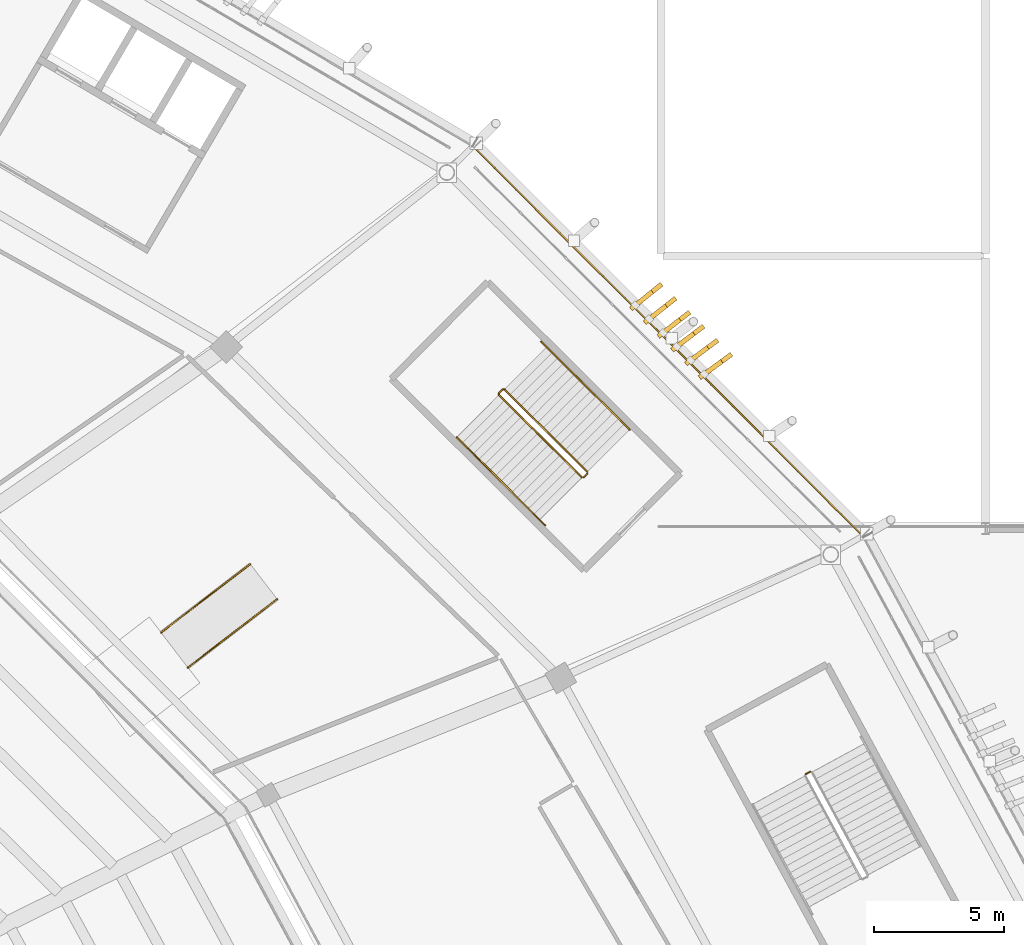
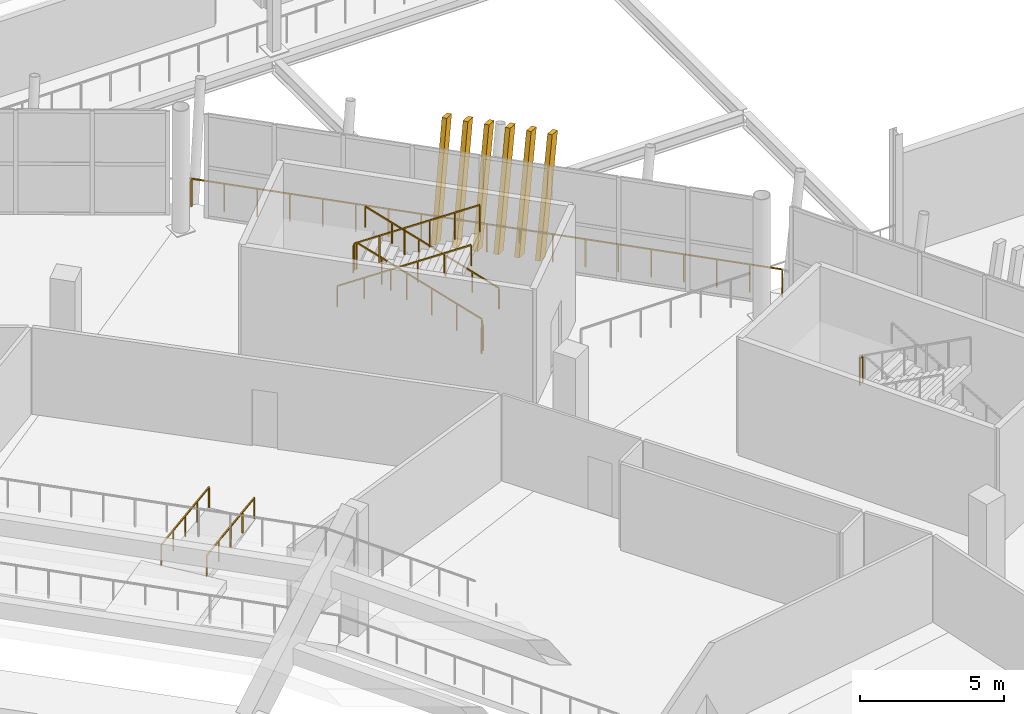
# One storey, part 167 of 178: 10 railings, 6 shading devices.
"""IFC4 building model written with IfcOpenShell, lengths in metres."""

import ifcopenshell
import ifcopenshell.guid

model = None  # the IFC model being written
_history = None  # IfcOwnerHistory: only IFC2X3 demands one
_inside = {}  # id of a spatial element -> (the spatial element, [elements in it])
_under = {}  # id of a project, library or spatial element -> (it, [spatial elements below it])
_declared = {}  # id of a project -> (the project, [libraries it declares])
_typed = {}  # id of a type object -> (the type object, [elements of that type])
_made_of = {}  # id of a material, layer set ... -> (it, [elements and type objects made of it])


def new_model(schema):
    """Start an empty IFC model of exactly this schema.

    Asked for "IFC4X3", IfcOpenShell would pick the latest addendum, in which some entities
    have other attributes; the version numbers below select the first issue.
    IFC2X3 requires an IfcOwnerHistory on every rooted entity: one is made here for all.
    """
    global model, _history
    if schema == "IFC4X3":
        model = ifcopenshell.file(schema_version=(4, 3, 0, 0))
    else:
        model = ifcopenshell.file(schema=schema)
    _inside.clear()
    _under.clear()
    _declared.clear()
    _typed.clear()
    _made_of.clear()
    _history = None
    if model.schema == "IFC2X3":
        org = make("IfcOrganization", Name="unknown")
        user = make(
            "IfcPersonAndOrganization",
            ThePerson=make("IfcPerson", FamilyName="unknown"),
            TheOrganization=org,
        )
        app = make(
            "IfcApplication",
            ApplicationDeveloper=org,
            Version="unknown",
            ApplicationFullName="unknown",
            ApplicationIdentifier="unknown",
        )
        _history = make(
            "IfcOwnerHistory",
            OwningUser=user,
            OwningApplication=app,
            ChangeAction="ADDED",
            CreationDate=0,
        )
    return model


def make(cls, **values):
    """One entity of the class cls with the attributes given. An attribute that is None is left unset."""
    return model.create_entity(
        cls, **{name: value for name, value in values.items() if value is not None}
    )


def rooted(cls, **values):
    """An entity with a GlobalId (a new one), such as an element, a storey or a relation."""
    return make(cls, GlobalId=ifcopenshell.guid.new(), OwnerHistory=_history, **values)


def si_unit(unit_type, name, prefix=None):
    """IfcSIUnit, for example si_unit("LENGTHUNIT", "METRE", prefix="MILLI")."""
    return make("IfcSIUnit", UnitType=unit_type, Prefix=prefix, Name=name)


def assignment(units):
    """IfcUnitAssignment: the units of a project."""
    return None if units is None else make("IfcUnitAssignment", Units=units)


def point(xyz):
    """IfcCartesianPoint."""
    return None if xyz is None else make("IfcCartesianPoint", Coordinates=xyz)


def direction(xyz):
    """IfcDirection."""
    return None if xyz is None else make("IfcDirection", DirectionRatios=xyz)


def frame(location, z_axis=None, x_axis=None):
    """IfcAxis2Placement3D, a coordinate frame: its origin and axes. An axis left out is left unset."""
    return make(
        "IfcAxis2Placement3D",
        Location=point(location),
        Axis=direction(z_axis),
        RefDirection=direction(x_axis),
    )


def frame_2d(location, x_axis=None):
    """IfcAxis2Placement2D, a coordinate frame in the plane: its origin and x axis."""
    return make(
        "IfcAxis2Placement2D", Location=point(location), RefDirection=direction(x_axis)
    )


def origin():
    """The frame at (0, 0, 0) with its axes left unset."""
    return frame((0.0, 0.0, 0.0))


def origin_2d():
    """The frame at (0, 0) in the plane with its x axis left unset."""
    return frame_2d((0.0, 0.0))


def place(relative_to, where):
    """IfcLocalPlacement: puts the frame where relative to a parent placement (None: the world)."""
    return make(
        "IfcLocalPlacement", PlacementRelTo=relative_to, RelativePlacement=where
    )


def context(
    kind, dimensions, precision=None, world=None, true_north=None, identifier=None
):
    """IfcGeometricRepresentationContext, for example the 3D "Model" context."""
    return make(
        "IfcGeometricRepresentationContext",
        ContextIdentifier=identifier,
        ContextType=kind,
        CoordinateSpaceDimension=dimensions,
        Precision=precision,
        WorldCoordinateSystem=world,
        TrueNorth=true_north,
    )


def subcontext(parent, identifier, kind, view, scale=None):
    """IfcGeometricRepresentationSubContext, for example "Body" below "Model"."""
    return make(
        "IfcGeometricRepresentationSubContext",
        ContextIdentifier=identifier,
        ContextType=kind,
        ParentContext=parent,
        TargetScale=scale,
        TargetView=view,
    )


def project(units=None, contexts=None):
    """IfcProject with its units and contexts."""
    return rooted(
        "IfcProject",
        Name="project",
        RepresentationContexts=contexts,
        UnitsInContext=assignment(units),
    )


def spatial(cls, under=None, at=None, **own):
    """A site, building, storey or space (cls), placed at a placement, below another one or the project."""
    s = rooted(cls, ObjectPlacement=at, **own)
    if under is not None:
        _under.setdefault(under.id(), (under, []))[1].append(s)
    return s


def profile(cls, at=None, kind="AREA", **sizes):
    """A parametric profile (cls). Its sizes go by their IFC names, for example OverallWidth=200.0."""
    return make(cls, ProfileType=kind, Position=at, **sizes)


def rectangle(**sizes):
    """IfcRectangleProfileDef."""
    return profile("IfcRectangleProfileDef", **sizes)


def extrude(swept, where, along, depth):
    """IfcExtrudedAreaSolid: the profile swept, set in the frame where, extruded along a direction by depth."""
    return make(
        "IfcExtrudedAreaSolid",
        SweptArea=swept,
        Position=where,
        ExtrudedDirection=direction(along),
        Depth=depth,
    )


def shape(context_of_items, identifier, shape_type, items):
    """IfcShapeRepresentation: the items that make up one representation, for example the "Body"."""
    return make(
        "IfcShapeRepresentation",
        ContextOfItems=context_of_items,
        RepresentationIdentifier=identifier,
        RepresentationType=shape_type,
        Items=items,
    )


def material(Name=None, Category=None):
    """IfcMaterial."""
    return make("IfcMaterial", Name=Name, Category=Category)


def material_profile(
    of_material, cross_section, Name=None, Category=None, Priority=None
):
    """IfcMaterialProfile: a cross section and its material."""
    return make(
        "IfcMaterialProfile",
        Name=Name,
        Material=of_material,
        Profile=cross_section,
        Priority=Priority,
        Category=Category,
    )


def profile_set(profiles, Name=None, composite=None):
    """IfcMaterialProfileSet."""
    return make(
        "IfcMaterialProfileSet",
        Name=Name,
        MaterialProfiles=profiles,
        CompositeProfile=composite,
    )


def made_of(thing, what):
    """Note that an element or type object is made of a material, layer set ...; save() writes the relation."""
    if what is not None:
        _made_of.setdefault(what.id(), (what, []))[1].append(thing)
    return thing


def type_object(cls, material=None, **own):
    """A type object (cls), such as IfcWallType, which elements share."""
    return made_of(rooted(cls, **own), material)


def element(
    cls,
    number,
    at=None,
    inside=None,
    cuts=None,
    type_object=None,
    material=None,
    context=None,
    identifier="Body",
    shape_type=None,
    held_by="IfcProductDefinitionShape",
    body=None,
    shapes=None,
    **own,
):
    """One element of the class cls, such as IfcWall. Its Tag is "e" and its number.

    at: its placement. inside: the storey or other place that contains it. cuts: it is an
    opening in that element (IfcRelVoidsElement). A single representation is given by context,
    identifier, shape_type and body (its items); several are given by shapes. held_by: the class
    of the entity that holds the representations. save() writes the other relations.
    """
    e = rooted(cls, Tag="e%d" % number, ObjectPlacement=at, **own)
    if body is not None:
        shapes = [shape(context, identifier, shape_type, body)]
    if shapes is not None:
        e.Representation = make(held_by, Representations=shapes)
    if inside is not None:
        _inside.setdefault(inside.id(), (inside, []))[1].append(e)
    if cuts is not None:
        rooted(
            "IfcRelVoidsElement", RelatingBuildingElement=cuts, RelatedOpeningElement=e
        )
    if type_object is not None:
        _typed.setdefault(type_object.id(), (type_object, []))[1].append(e)
    return made_of(e, material)


def aggregate(whole, parts):
    """IfcRelAggregates: a whole, such as a stair, and the parts it consists of."""
    return rooted("IfcRelAggregates", RelatingObject=whole, RelatedObjects=parts)


def save(model, path):
    """Write the relations noted so far, then the file.

    IfcRelAggregates (storeys below a building ...), IfcRelContainedInSpatialStructure (elements
    in a storey), IfcRelDefinesByType, IfcRelAssociatesMaterial and IfcRelDeclares: one each for
    every whole, place, type object, material and project.
    """
    for whole, parts in _under.values():
        aggregate(whole, parts)
    for where, things in _inside.values():
        rooted(
            "IfcRelContainedInSpatialStructure",
            RelatedElements=things,
            RelatingStructure=where,
        )
    for kind, things in _typed.values():
        rooted("IfcRelDefinesByType", RelatedObjects=things, RelatingType=kind)
    for what, things in _made_of.values():
        rooted("IfcRelAssociatesMaterial", RelatedObjects=things, RelatingMaterial=what)
    for by, libraries in _declared.values():
        rooted("IfcRelDeclares", RelatingContext=by, RelatedDefinitions=libraries)
    model.write(path)


model = new_model("IFC4")

# Units and contexts
model_context = context("Model", 3, precision=1e-05, world=origin(), true_north=direction((0.0, 1.0)))
body_context = subcontext(model_context, "Body", "Model", "MODEL_VIEW")
ifc_project = project(units=[si_unit("LENGTHUNIT", "METRE"), si_unit("AREAUNIT", "SQUARE_METRE"), si_unit("VOLUMEUNIT", "CUBIC_METRE"), si_unit("PLANEANGLEUNIT", "RADIAN"), si_unit("MASSUNIT", "GRAM", prefix="KILO")], contexts=[model_context])

# Site, building, storey
site_placement = place(None, origin())
site = spatial("IfcSite", under=ifc_project, at=site_placement, CompositionType="ELEMENT")
building_placement = place(site_placement, origin())
building = spatial("IfcBuilding", under=site, at=building_placement, Name="Zlatoyarsky Gate Stadium", CompositionType="ELEMENT")
storey_placement = place(building_placement, frame((0.0, 0.0, 5.39990234375)))
storey = spatial("IfcBuildingStorey", under=building, at=storey_placement, Name="L01", CompositionType="ELEMENT", Elevation=5.39990234375)

# Railings
ifc_material_1 = material(Name="Powder-coated steel tubular guardrail", Category="steel")
railing_type_1 = type_object("IfcRailingType", Name="CONCOURSE SLAB EDGE GUARDRAIL 1200", PredefinedType="GUARDRAIL", material=ifc_material_1)
railing_1_placement = place(storey_placement, frame((192.777587890625, 116.214111328125, 0.0)))
element("IfcRailing", 1, at=railing_1_placement, inside=storey, type_object=railing_type_1, Name="L01 outer slab edge guardrail 02", PredefinedType="GUARDRAIL", context=body_context, shape_type="SweptSolid", body=[
    extrude(rectangle(XDim=0.048095703125, YDim=0.048095703125, at=origin_2d()), frame((0.0, 0.0, 1.17578125), z_axis=(-0.707250593855, 0.706962939263, 0.0), x_axis=(-0.706962939263, -0.707250593855, 0.0)), (0.0, 0.0, 1.0), 21.21826171875),
    extrude(rectangle(XDim=0.0419921875, YDim=0.0419921875, at=origin_2d()), origin(), (0.0, 0.0, 1.0), 1.15185546875),
    extrude(rectangle(XDim=0.0419921875, YDim=0.0419921875, at=origin_2d()), frame((-0.833740234375, 0.833251953125, 0.0)), (0.0, 0.0, 1.0), 1.15185546875),
    extrude(rectangle(XDim=0.0419921875, YDim=0.0419921875, at=origin_2d()), frame((-1.66748046875, 1.666748046875, 0.0)), (0.0, 0.0, 1.0), 1.15185546875),
    extrude(rectangle(XDim=0.0419921875, YDim=0.0419921875, at=origin_2d()), frame((-2.5009765625, 2.5, 0.0)), (0.0, 0.0, 1.0), 1.15185546875),
    extrude(rectangle(XDim=0.0419921875, YDim=0.0419921875, at=origin_2d()), frame((-3.334716796875, 3.33349609375, 0.0)), (0.0, 0.0, 1.0), 1.15185546875),
    extrude(rectangle(XDim=0.0419921875, YDim=0.0419921875, at=origin_2d()), frame((-4.16845703125, 4.166748046875, 0.0)), (0.0, 0.0, 1.0), 1.15185546875),
    extrude(rectangle(XDim=0.0419921875, YDim=0.0419921875, at=origin_2d()), frame((-5.002197265625, 5.000244140625, 0.0)), (0.0, 0.0, 1.0), 1.15185546875),
    extrude(rectangle(XDim=0.0419921875, YDim=0.0419921875, at=origin_2d()), frame((-5.8359375, 5.83349609375, 0.0)), (0.0, 0.0, 1.0), 1.15185546875),
    extrude(rectangle(XDim=0.0419921875, YDim=0.0419921875, at=origin_2d()), frame((-6.669677734375, 6.6669921875, 0.0)), (0.0, 0.0, 1.0), 1.15185546875),
    extrude(rectangle(XDim=0.0419921875, YDim=0.0419921875, at=origin_2d()), frame((-7.50341796875, 7.500244140625, 0.0)), (0.0, 0.0, 1.0), 1.15185546875),
    extrude(rectangle(XDim=0.0419921875, YDim=0.0419921875, at=origin_2d()), frame((-8.3369140625, 8.33349609375, 0.0)), (0.0, 0.0, 1.0), 1.15185546875),
    extrude(rectangle(XDim=0.0419921875, YDim=0.0419921875, at=origin_2d()), frame((-9.170654296875, 9.1669921875, 0.0)), (0.0, 0.0, 1.0), 1.15185546875),
    extrude(rectangle(XDim=0.0419921875, YDim=0.0419921875, at=origin_2d()), frame((-10.00439453125, 10.000244140625, 0.0)), (0.0, 0.0, 1.0), 1.15185546875),
    extrude(rectangle(XDim=0.0419921875, YDim=0.0419921875, at=origin_2d()), frame((-10.838134765625, 10.833740234375, 0.0)), (0.0, 0.0, 1.0), 1.15185546875),
    extrude(rectangle(XDim=0.0419921875, YDim=0.0419921875, at=origin_2d()), frame((-11.671875, 11.6669921875, 0.0)), (0.0, 0.0, 1.0), 1.15185546875),
    extrude(rectangle(XDim=0.0419921875, YDim=0.0419921875, at=origin_2d()), frame((-12.50537109375, 12.50048828125, 0.0)), (0.0, 0.0, 1.0), 1.15185546875),
    extrude(rectangle(XDim=0.0419921875, YDim=0.0419921875, at=origin_2d()), frame((-13.339111328125, 13.333740234375, 0.0)), (0.0, 0.0, 1.0), 1.15185546875),
    extrude(rectangle(XDim=0.0419921875, YDim=0.0419921875, at=origin_2d()), frame((-14.1728515625, 14.167236328125, 0.0)), (0.0, 0.0, 1.0), 1.15185546875),
    extrude(rectangle(XDim=0.0419921875, YDim=0.0419921875, at=origin_2d()), frame((-15.006591796875, 15.00048828125, 0.0)), (0.0, 0.0, 1.0), 1.15185546875),
])
ifc_material_2 = material(Name="Powder-coated steel stair guardrail", Category="steel")
railing_type_2 = type_object("IfcRailingType", Name="PAINTED STEEL STAIR WELL GUARDRAIL 1150", PredefinedType="GUARDRAIL", material=ifc_material_2)
railing_2_placement = place(storey_placement, frame((182.170654296875, 118.681396484375, 0.16259765625)))
element("IfcRailing", 2, at=railing_2_placement, inside=storey, type_object=railing_type_2, Name="ST-02 L01 stair guard 1", PredefinedType="GUARDRAIL", context=body_context, shape_type="SweptSolid", body=[
    extrude(rectangle(XDim=0.048095703125, YDim=0.048095703125, at=origin_2d()), frame((0.0, 0.0, 1.1259765625), z_axis=(-0.623321812894, 0.620173241055, 0.47629304913), x_axis=(-0.705314101777, -0.708894927217, 0.0)), (0.0, 0.0, 1.0), 5.11767578125),
    extrude(rectangle(XDim=0.0419921875, YDim=0.0419921875, at=origin_2d()), origin(), (0.0, 0.0, 1.0), 1.101806640625),
    extrude(rectangle(XDim=0.0419921875, YDim=0.0419921875, at=origin_2d()), frame((-0.637939453125, 0.634765625, 0.487548828125)), (0.0, 0.0, 1.0), 1.101806640625),
    extrude(rectangle(XDim=0.0419921875, YDim=0.0419921875, at=origin_2d()), frame((-1.27587890625, 1.26953125, 0.97509765625)), (0.0, 0.0, 1.0), 1.101806640625),
    extrude(rectangle(XDim=0.0419921875, YDim=0.0419921875, at=origin_2d()), frame((-1.9140625, 1.904296875, 1.46240234375)), (0.0, 0.0, 1.0), 1.101806640625),
    extrude(rectangle(XDim=0.0419921875, YDim=0.0419921875, at=origin_2d()), frame((-2.552001953125, 2.5390625, 1.949951171875)), (0.0, 0.0, 1.0), 1.101806640625),
    extrude(rectangle(XDim=0.0419921875, YDim=0.0419921875, at=origin_2d()), frame((-3.18994140625, 3.173828125, 2.4375)), (0.0, 0.0, 1.0), 1.101806640625),
])
railing_3_placement = place(storey_placement, frame((178.909912109375, 121.85498046875, 2.60009765625)))
element("IfcRailing", 3, at=railing_3_placement, inside=storey, type_object=railing_type_2, Name="ST-02 L01 stair guard 2", PredefinedType="GUARDRAIL", context=body_context, shape_type="SweptSolid", body=[
    extrude(rectangle(XDim=0.048095703125, YDim=0.048095703125, at=origin_2d()), frame((0.0, 0.0, 1.1259765625), z_axis=(-0.705884473151, -0.708326979978, 0.0), x_axis=(0.708326979978, -0.705884473151, 0.0)), (0.0, 0.0, 1.0), 0.199951171875),
    extrude(rectangle(XDim=0.0419921875, YDim=0.0419921875, at=origin_2d()), origin(), (0.0, 0.0, 1.0), 1.101806640625),
    extrude(rectangle(XDim=0.0419921875, YDim=0.0419921875, at=origin_2d()), frame((-0.14111328125, -0.1416015625, 0.0)), (0.0, 0.0, 1.0), 1.101806640625),
])
railing_4_placement = place(storey_placement, frame((178.76904296875, 121.642578125, 2.7626953125)))
element("IfcRailing", 4, at=railing_4_placement, inside=storey, type_object=railing_type_2, Name="ST-02 L01 stair guard 3", PredefinedType="GUARDRAIL", context=body_context, shape_type="SweptSolid", body=[
    extrude(rectangle(XDim=0.048095703125, YDim=0.048095703125, at=origin_2d()), frame((0.0, 0.0, 1.1259765625), z_axis=(0.623350982153, -0.620154799724, 0.476278886188), x_axis=(0.705286975187, 0.708921915751, 0.0)), (0.0, 0.0, 1.0), 5.117919921875),
    extrude(rectangle(XDim=0.0419921875, YDim=0.0419921875, at=origin_2d()), origin(), (0.0, 0.0, 1.0), 1.101806640625),
    extrude(rectangle(XDim=0.0419921875, YDim=0.0419921875, at=origin_2d()), frame((0.637939453125, -0.634765625, 0.487548828125)), (0.0, 0.0, 1.0), 1.101806640625),
    extrude(rectangle(XDim=0.0419921875, YDim=0.0419921875, at=origin_2d()), frame((1.276123046875, -1.26953125, 0.97509765625)), (0.0, 0.0, 1.0), 1.101806640625),
    extrude(rectangle(XDim=0.0419921875, YDim=0.0419921875, at=origin_2d()), frame((1.9140625, -1.904296875, 1.46240234375)), (0.0, 0.0, 1.0), 1.101806640625),
    extrude(rectangle(XDim=0.0419921875, YDim=0.0419921875, at=origin_2d()), frame((2.55224609375, -2.5390625, 1.949951171875)), (0.0, 0.0, 1.0), 1.101806640625),
    extrude(rectangle(XDim=0.0419921875, YDim=0.0419921875, at=origin_2d()), frame((3.190185546875, -3.173828125, 2.4375)), (0.0, 0.0, 1.0), 1.101806640625),
])
railing_5_placement = place(storey_placement, frame((182.1708984375, 118.610595703125, 0.0)))
element("IfcRailing", 5, at=railing_5_placement, inside=storey, type_object=railing_type_2, Name="ST-02 L01 stair guard 4", PredefinedType="GUARDRAIL", context=body_context, shape_type="SweptSolid", body=[
    extrude(rectangle(XDim=0.048095703125, YDim=0.048095703125, at=origin_2d()), frame((0.0, 0.0, 1.1259765625), z_axis=(-0.705884473151, -0.708326979978, 0.0), x_axis=(0.708326979978, -0.705884473151, 0.0)), (0.0, 0.0, 1.0), 0.199951171875),
    extrude(rectangle(XDim=0.0419921875, YDim=0.0419921875, at=origin_2d()), origin(), (0.0, 0.0, 1.0), 1.101806640625),
    extrude(rectangle(XDim=0.0419921875, YDim=0.0419921875, at=origin_2d()), frame((-0.14111328125, -0.1416015625, 0.0)), (0.0, 0.0, 1.0), 1.101806640625),
])
railing_6_placement = place(storey_placement, frame((190.7509765625, 107.14208984375, 2.60009765625)))
element("IfcRailing", 6, at=railing_6_placement, inside=storey, type_object=railing_type_2, Name="ST-13 L01 stair guard 2", PredefinedType="GUARDRAIL", context=body_context, shape_type="SweptSolid", body=[
    extrude(rectangle(XDim=0.048095703125, YDim=0.048095703125, at=origin_2d()), frame((0.0, 0.0, 1.1259765625), z_axis=(-0.878780312785, -0.477226530971, 0.0), x_axis=(0.477226530971, -0.878780312785, 0.0)), (0.0, 0.0, 1.0), 0.199951171875),
    extrude(rectangle(XDim=0.0419921875, YDim=0.0419921875, at=origin_2d()), origin(), (0.0, 0.0, 1.0), 1.101806640625),
    extrude(rectangle(XDim=0.0419921875, YDim=0.0419921875, at=origin_2d()), frame((-0.17578125, -0.095458984375, 0.0)), (0.0, 0.0, 1.0), 1.101806640625),
])

# Shading devices
ifc_material_3 = material(Name="Precast concrete C40/50 stone-toned architectural rib", Category="masonry")
ifc_material_profile = material_profile(ifc_material_3, rectangle(XDim=0.179931640625, YDim=0.47998046875, at=origin_2d()), Name="RIB 180X480")
ifc_profile_set = profile_set([ifc_material_profile], Name="Precast concrete C40/50 stone-toned architectural rib")
shading_device_type = type_object("IfcShadingDeviceType", Name="PRECAST RIBBED BOWL LOUVRE FIN 180X480", PredefinedType="JALOUSIE", material=ifc_profile_set)
for number, where, z_axis, x_axis, name in (
    (7, (186.6787109375, 122.44921875, -0.010009765625), (0.178129476325, 0.130150014407, 0.975361914068), (-0.589952980625, 0.807437601708, 0.0), "Leaning bowl louvre fin L01-02-1"),
    (8, (186.1484375, 122.9794921875, -0.010009765625), (0.176859704381, 0.131779814254, 0.975374146429), (-0.597487139672, 0.801878493243, 0.0), "Leaning bowl louvre fin L01-02-2"),
    (9, (185.6181640625, 123.509765625, -0.010009765625), (0.17558915102, 0.133409085475, 0.975382215317), (-0.604972109105, 0.796246662288, 0.0), "Leaning bowl louvre fin L01-02-3"),
    (10, (185.087646484375, 124.0400390625, -0.010009765625), (0.17436716658, 0.135036609309, 0.975377468145), (-0.61229416772, 0.790630034957, 0.0), "Leaning bowl louvre fin L01-02-4"),
    (11, (184.557373046875, 124.5703125, -0.010009765625), (0.173093917752, 0.136714684597, 0.975370488918), (-0.619816293776, 0.784746941357, 0.0), "Leaning bowl louvre fin L01-02-5"),
    (12, (184.027099609375, 125.1005859375, -0.010009765625), (0.171821134401, 0.138342216298, 0.975366048703), (-0.627139127101, 0.778907257161, 0.0), "Leaning bowl louvre fin L01-02-6"),
):
    element("IfcShadingDevice", number, at=place(storey_placement, frame(where, z_axis=z_axis, x_axis=x_axis)), inside=storey, type_object=shading_device_type, Name=name, PredefinedType="JALOUSIE", context=body_context, shape_type="SweptSolid", body=[
        extrude(rectangle(XDim=0.179931640625, YDim=0.47998046875, at=origin_2d()), origin(), (0.0, 0.0, 1.0), 4.79833984375),
    ])

# Railings
ifc_material_4 = material(Name="Brushed stainless steel 316 handrail", Category="steel")
railing_type_3 = type_object("IfcRailingType", Name="STAINLESS STEEL TUBULAR HANDRAIL 900", PredefinedType="HANDRAIL", material=ifc_material_4)
railing_7_placement = place(storey_placement, frame((183.79296875, 120.311767578125, 0.16650390625)))
element("IfcRailing", 13, at=railing_7_placement, inside=storey, type_object=railing_type_3, Name="ST-02 L01 stair handrail 1", PredefinedType="HANDRAIL", context=body_context, shape_type="SweptSolid", body=[
    extrude(rectangle(XDim=0.048095703125, YDim=0.048095703125, at=origin_2d()), frame((0.0, 0.0, 0.8759765625), z_axis=(-0.623336262297, 0.620160995069, 0.476290084192), x_axis=(-0.705298886343, -0.708910065469, 0.0)), (0.0, 0.0, 1.0), 5.458984375),
    extrude(rectangle(XDim=0.0419921875, YDim=0.0419921875, at=origin_2d()), origin(), (0.0, 0.0, 1.0), 0.851806640625),
    extrude(rectangle(XDim=0.0419921875, YDim=0.0419921875, at=origin_2d()), frame((-0.6806640625, 0.677001953125, 0.52001953125)), (0.0, 0.0, 1.0), 0.851806640625),
    extrude(rectangle(XDim=0.0419921875, YDim=0.0419921875, at=origin_2d()), frame((-1.361083984375, 1.354248046875, 1.0400390625)), (0.0, 0.0, 1.0), 0.851806640625),
    extrude(rectangle(XDim=0.0419921875, YDim=0.0419921875, at=origin_2d()), frame((-2.041748046875, 2.03125, 1.56005859375)), (0.0, 0.0, 1.0), 0.851806640625),
    extrude(rectangle(XDim=0.0419921875, YDim=0.0419921875, at=origin_2d()), frame((-2.72216796875, 2.70849609375, 2.080078125)), (0.0, 0.0, 1.0), 0.851806640625),
    extrude(rectangle(XDim=0.0419921875, YDim=0.0419921875, at=origin_2d()), frame((-3.40283203125, 3.385498046875, 2.60009765625)), (0.0, 0.0, 1.0), 0.851806640625),
])
railing_8_placement = place(storey_placement, frame((177.14697265625, 120.01220703125, 2.7666015625)))
element("IfcRailing", 14, at=railing_8_placement, inside=storey, type_object=railing_type_3, Name="ST-02 L01 stair handrail 2", PredefinedType="HANDRAIL", context=body_context, shape_type="SweptSolid", body=[
    extrude(rectangle(XDim=0.048095703125, YDim=0.048095703125, at=origin_2d()), frame((0.0, 0.0, 0.8759765625), z_axis=(0.623308915757, -0.620178283332, 0.476303361757), x_axis=(0.705324317314, 0.708884763136, 0.0)), (0.0, 0.0, 1.0), 5.458984375),
    extrude(rectangle(XDim=0.0419921875, YDim=0.0419921875, at=origin_2d()), origin(), (0.0, 0.0, 1.0), 0.851806640625),
    extrude(rectangle(XDim=0.0419921875, YDim=0.0419921875, at=origin_2d()), frame((0.680419921875, -0.677001953125, 0.52001953125)), (0.0, 0.0, 1.0), 0.851806640625),
    extrude(rectangle(XDim=0.0419921875, YDim=0.0419921875, at=origin_2d()), frame((1.361083984375, -1.354248046875, 1.0400390625)), (0.0, 0.0, 1.0), 0.851806640625),
    extrude(rectangle(XDim=0.0419921875, YDim=0.0419921875, at=origin_2d()), frame((2.04150390625, -2.03125, 1.56005859375)), (0.0, 0.0, 1.0), 0.851806640625),
    extrude(rectangle(XDim=0.0419921875, YDim=0.0419921875, at=origin_2d()), frame((2.72216796875, -2.70849609375, 2.080078125)), (0.0, 0.0, 1.0), 0.851806640625),
    extrude(rectangle(XDim=0.0419921875, YDim=0.0419921875, at=origin_2d()), frame((3.402587890625, -3.385498046875, 2.60009765625)), (0.0, 0.0, 1.0), 0.851806640625),
])
railing_9_placement = place(storey_placement, frame((170.225341796875, 113.781494140625, 0.0)))
element("IfcRailing", 15, at=railing_9_placement, inside=storey, type_object=railing_type_3, Name="AR-01 accessible ramp handrail L", PredefinedType="HANDRAIL", context=body_context, shape_type="SweptSolid", body=[
    extrude(rectangle(XDim=0.048095703125, YDim=0.048095703125, at=origin_2d()), frame((0.0, 0.0, 0.8759765625), z_axis=(-0.790631102804, -0.606631116135, 0.083073149782), x_axis=(0.608735238688, -0.793373436144, 0.0)), (0.0, 0.0, 1.0), 4.334716796875),
    extrude(rectangle(XDim=0.0419921875, YDim=0.0419921875, at=origin_2d()), origin(), (0.0, 0.0, 1.0), 0.851806640625),
    extrude(rectangle(XDim=0.0419921875, YDim=0.0419921875, at=origin_2d()), frame((-0.85693359375, -0.657470703125, 0.090087890625)), (0.0, 0.0, 1.0), 0.851806640625),
    extrude(rectangle(XDim=0.0419921875, YDim=0.0419921875, at=origin_2d()), frame((-1.713623046875, -1.31494140625, 0.18017578125)), (0.0, 0.0, 1.0), 0.851806640625),
    extrude(rectangle(XDim=0.0419921875, YDim=0.0419921875, at=origin_2d()), frame((-2.5703125, -1.97216796875, 0.27001953125)), (0.0, 0.0, 1.0), 0.851806640625),
    extrude(rectangle(XDim=0.0419921875, YDim=0.0419921875, at=origin_2d()), frame((-3.42724609375, -2.629638671875, 0.360107421875)), (0.0, 0.0, 1.0), 0.851806640625),
])
railing_10_placement = place(storey_placement, frame((169.190673828125, 115.13037109375, 0.0)))
element("IfcRailing", 16, at=railing_10_placement, inside=storey, type_object=railing_type_3, Name="AR-01 accessible ramp handrail R", PredefinedType="HANDRAIL", context=body_context, shape_type="SweptSolid", body=[
    extrude(rectangle(XDim=0.048095703125, YDim=0.048095703125, at=origin_2d()), frame((0.0, 0.0, 0.8759765625), z_axis=(-0.790625205355, -0.60663969742, 0.083066612857), x_axis=(0.60874351688, -0.79336708443, 0.0)), (0.0, 0.0, 1.0), 4.335205078125),
    extrude(rectangle(XDim=0.0419921875, YDim=0.0419921875, at=origin_2d()), origin(), (0.0, 0.0, 1.0), 0.851806640625),
    extrude(rectangle(XDim=0.0419921875, YDim=0.0419921875, at=origin_2d()), frame((-0.85693359375, -0.657470703125, 0.090087890625)), (0.0, 0.0, 1.0), 0.851806640625),
    extrude(rectangle(XDim=0.0419921875, YDim=0.0419921875, at=origin_2d()), frame((-1.7138671875, -1.31494140625, 0.18017578125)), (0.0, 0.0, 1.0), 0.851806640625),
    extrude(rectangle(XDim=0.0419921875, YDim=0.0419921875, at=origin_2d()), frame((-2.570556640625, -1.972412109375, 0.27001953125)), (0.0, 0.0, 1.0), 0.851806640625),
    extrude(rectangle(XDim=0.0419921875, YDim=0.0419921875, at=origin_2d()), frame((-3.427490234375, -2.6298828125, 0.360107421875)), (0.0, 0.0, 1.0), 0.851806640625),
])

save(model, "model.ifc")
